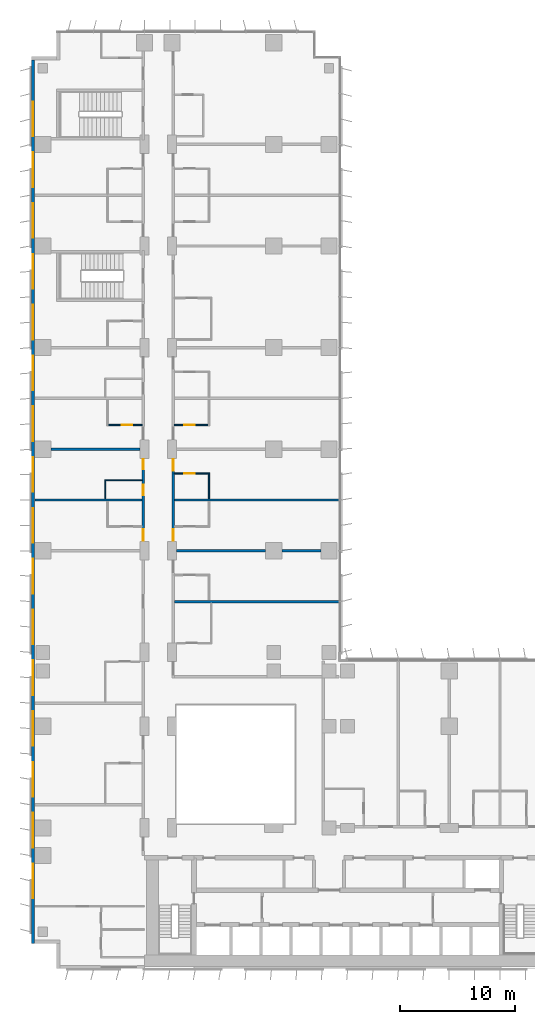
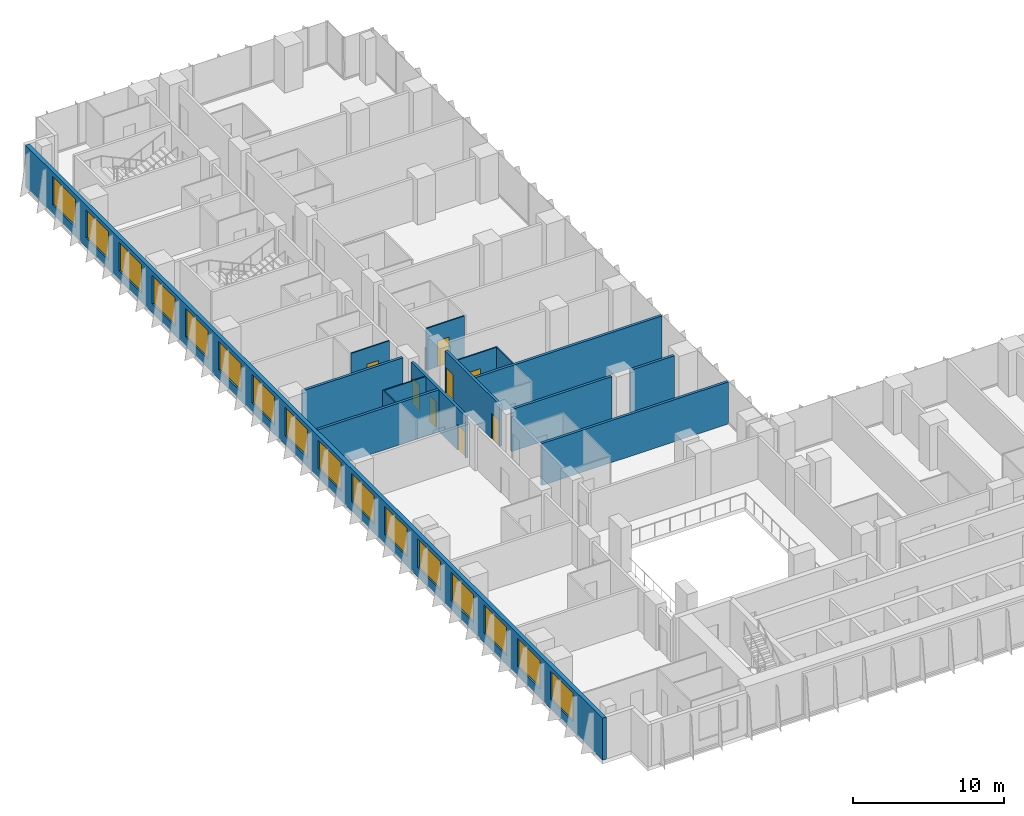
# One storey, part 16 of 24: 16 windows, 15 walls, 8 doors, 24 openings.
"""IFC4 building model written with IfcOpenShell, lengths in metres."""

from ifc_helpers import new_model, si_unit, direction, frame, frame_2d, origin, place, context, subcontext, project, spatial, rectangle, extrude, material, layer, layer_set, type_object, element, fill, save


model = new_model("IFC4")

# Units and contexts
model_context = context("Model", 3, precision=1e-05, world=origin(), true_north=direction((0.0, 1.0)))
body_context = subcontext(model_context, "Body", "Model", "MODEL_VIEW")
ifc_project = project(units=[si_unit("LENGTHUNIT", "METRE"), si_unit("AREAUNIT", "SQUARE_METRE"), si_unit("VOLUMEUNIT", "CUBIC_METRE"), si_unit("PLANEANGLEUNIT", "RADIAN"), si_unit("MASSUNIT", "GRAM", prefix="KILO")], contexts=[model_context])

# Site, building, storey
site_placement = place(None, origin())
site = spatial("IfcSite", under=ifc_project, at=site_placement, CompositionType="ELEMENT")
building_placement = place(site_placement, origin())
building = spatial("IfcBuilding", under=site, at=building_placement, Name="Kemantara Hotel Tower", CompositionType="ELEMENT")
storey_placement = place(building_placement, frame((0.0, 0.0, 37.699951171875)))
storey = spatial("IfcBuildingStorey", under=building, at=storey_placement, Name="L07", CompositionType="ELEMENT", Elevation=37.699951171875)

# Wall, openings, windows
ifc_material_1 = material(Name="Bronze anodised aluminium cladding on insulated steel stud wall", Category="steel")
ifc_layer_1 = layer(ifc_material_1, 0.300048828125)
ifc_layer_set_1 = layer_set([ifc_layer_1], Name="Bronze anodised aluminium cladding on insulated steel stud wall")
wall_type_1 = type_object("IfcWallType", Name="BRONZE METAL-CLAD EXTERNAL WALL 300", PredefinedType="STANDARD", material=ifc_layer_set_1)
wall_1_placement = place(storey_placement, frame((0.14990234375, 78.699951171875, 0.0), z_axis=(0.0, 0.0, 1.0), x_axis=(0.0, -1.0, 0.0)))
wall_1 = element("IfcWall", 1, at=wall_1_placement, inside=storey, type_object=wall_type_1, Name="EXTERNAL WALL L07 T1-R14", PredefinedType="STANDARD", context=body_context, shape_type="SweptSolid", body=[
    extrude(rectangle(XDim=76.5, YDim=0.300048828125, at=frame_2d((38.25, 0.0))), origin(), (0.0, 0.0, 1.0), 3.400146484375),
])
opening_1_placement = place(wall_1_placement, frame((3.60009765625, 0.0, 0.75)))
opening_1 = element("IfcOpeningElement", 2, at=opening_1_placement, cuts=wall_1, Name="Opening W1", PredefinedType="OPENING", context=body_context, shape_type="SweptSolid", body=[
    extrude(rectangle(XDim=3.0, YDim=2.300048828125, at=frame_2d((1.5, 1.14990234375))), frame((0.0, 0.159912109375, 0.0), z_axis=(0.0, -1.0, 0.0), x_axis=(1.0, 0.0, 0.0)), (0.0, 0.0, 1.0), 0.320068359375),
])
opening_2_placement = place(wall_1_placement, frame((8.0, 0.0, 0.75)))
opening_2 = element("IfcOpeningElement", 3, at=opening_2_placement, cuts=wall_1, Name="Opening W1", PredefinedType="OPENING", context=body_context, shape_type="SweptSolid", body=[
    extrude(rectangle(XDim=3.0, YDim=2.300048828125, at=frame_2d((1.5, 1.14990234375))), frame((0.0, 0.159912109375, 0.0), z_axis=(0.0, -1.0, 0.0), x_axis=(1.0, 0.0, 0.0)), (0.0, 0.0, 1.0), 0.320068359375),
])
opening_3_placement = place(wall_1_placement, frame((12.39990234375, 0.0, 0.75)))
opening_3 = element("IfcOpeningElement", 4, at=opening_3_placement, cuts=wall_1, Name="Opening W1", PredefinedType="OPENING", context=body_context, shape_type="SweptSolid", body=[
    extrude(rectangle(XDim=3.0, YDim=2.300048828125, at=frame_2d((1.5, 1.14990234375))), frame((0.0, 0.159912109375, 0.0), z_axis=(0.0, -1.0, 0.0), x_axis=(1.0, 0.0, 0.0)), (0.0, 0.0, 1.0), 0.320068359375),
])
opening_4_placement = place(wall_1_placement, frame((16.800048828125, 0.0, 0.75)))
opening_4 = element("IfcOpeningElement", 5, at=opening_4_placement, cuts=wall_1, Name="Opening W1", PredefinedType="OPENING", context=body_context, shape_type="SweptSolid", body=[
    extrude(rectangle(XDim=3.0, YDim=2.300048828125, at=frame_2d((1.5, 1.14990234375))), frame((0.0, 0.159912109375, 0.0), z_axis=(0.0, -1.0, 0.0), x_axis=(1.0, 0.0, 0.0)), (0.0, 0.0, 1.0), 0.320068359375),
])
opening_5_placement = place(wall_1_placement, frame((21.199951171875, 0.0, 0.75)))
opening_5 = element("IfcOpeningElement", 6, at=opening_5_placement, cuts=wall_1, Name="Opening W1", PredefinedType="OPENING", context=body_context, shape_type="SweptSolid", body=[
    extrude(rectangle(XDim=3.0, YDim=2.300048828125, at=frame_2d((1.5, 1.14990234375))), frame((0.0, 0.159912109375, 0.0), z_axis=(0.0, -1.0, 0.0), x_axis=(1.0, 0.0, 0.0)), (0.0, 0.0, 1.0), 0.320068359375),
])
opening_6_placement = place(wall_1_placement, frame((25.60009765625, 0.0, 0.75)))
opening_6 = element("IfcOpeningElement", 7, at=opening_6_placement, cuts=wall_1, Name="Opening W1", PredefinedType="OPENING", context=body_context, shape_type="SweptSolid", body=[
    extrude(rectangle(XDim=3.0, YDim=2.300048828125, at=frame_2d((1.5, 1.14990234375))), frame((0.0, 0.159912109375, 0.0), z_axis=(0.0, -1.0, 0.0), x_axis=(1.0, 0.0, 0.0)), (0.0, 0.0, 1.0), 0.320068359375),
])
opening_7_placement = place(wall_1_placement, frame((30.0, 0.0, 0.75)))
opening_7 = element("IfcOpeningElement", 8, at=opening_7_placement, cuts=wall_1, Name="Opening W1", PredefinedType="OPENING", context=body_context, shape_type="SweptSolid", body=[
    extrude(rectangle(XDim=3.0, YDim=2.300048828125, at=frame_2d((1.5, 1.14990234375))), frame((0.0, 0.159912109375, 0.0), z_axis=(0.0, -1.0, 0.0), x_axis=(1.0, 0.0, 0.0)), (0.0, 0.0, 1.0), 0.320068359375),
])
opening_8_placement = place(wall_1_placement, frame((34.39990234375, 0.0, 0.75)))
opening_8 = element("IfcOpeningElement", 9, at=opening_8_placement, cuts=wall_1, Name="Opening W1", PredefinedType="OPENING", context=body_context, shape_type="SweptSolid", body=[
    extrude(rectangle(XDim=3.0, YDim=2.300048828125, at=frame_2d((1.5, 1.14990234375))), frame((0.0, 0.159912109375, 0.0), z_axis=(0.0, -1.0, 0.0), x_axis=(1.0, 0.0, 0.0)), (0.0, 0.0, 1.0), 0.320068359375),
])
opening_9_placement = place(wall_1_placement, frame((38.800048828125, 0.0, 0.75)))
opening_9 = element("IfcOpeningElement", 10, at=opening_9_placement, cuts=wall_1, Name="Opening W1", PredefinedType="OPENING", context=body_context, shape_type="SweptSolid", body=[
    extrude(rectangle(XDim=3.0, YDim=2.300048828125, at=frame_2d((1.5, 1.14990234375))), frame((0.0, 0.159912109375, 0.0), z_axis=(0.0, -1.0, 0.0), x_axis=(1.0, 0.0, 0.0)), (0.0, 0.0, 1.0), 0.320068359375),
])
opening_10_placement = place(wall_1_placement, frame((43.199951171875, 0.0, 0.75)))
opening_10 = element("IfcOpeningElement", 11, at=opening_10_placement, cuts=wall_1, Name="Opening W1", PredefinedType="OPENING", context=body_context, shape_type="SweptSolid", body=[
    extrude(rectangle(XDim=3.0, YDim=2.300048828125, at=frame_2d((1.5, 1.14990234375))), frame((0.0, 0.159912109375, 0.0), z_axis=(0.0, -1.0, 0.0), x_axis=(1.0, 0.0, 0.0)), (0.0, 0.0, 1.0), 0.320068359375),
])
opening_11_placement = place(wall_1_placement, frame((47.60009765625, 0.0, 0.75)))
opening_11 = element("IfcOpeningElement", 12, at=opening_11_placement, cuts=wall_1, Name="Opening W1", PredefinedType="OPENING", context=body_context, shape_type="SweptSolid", body=[
    extrude(rectangle(XDim=3.0, YDim=2.300048828125, at=frame_2d((1.5, 1.14990234375))), frame((0.0, 0.159912109375, 0.0), z_axis=(0.0, -1.0, 0.0), x_axis=(1.0, 0.0, 0.0)), (0.0, 0.0, 1.0), 0.320068359375),
])
opening_12_placement = place(wall_1_placement, frame((52.0, 0.0, 0.75)))
opening_12 = element("IfcOpeningElement", 13, at=opening_12_placement, cuts=wall_1, Name="Opening W1", PredefinedType="OPENING", context=body_context, shape_type="SweptSolid", body=[
    extrude(rectangle(XDim=3.0, YDim=2.300048828125, at=frame_2d((1.5, 1.14990234375))), frame((0.0, 0.159912109375, 0.0), z_axis=(0.0, -1.0, 0.0), x_axis=(1.0, 0.0, 0.0)), (0.0, 0.0, 1.0), 0.320068359375),
])
opening_13_placement = place(wall_1_placement, frame((56.39990234375, 0.0, 0.75)))
opening_13 = element("IfcOpeningElement", 14, at=opening_13_placement, cuts=wall_1, Name="Opening W1", PredefinedType="OPENING", context=body_context, shape_type="SweptSolid", body=[
    extrude(rectangle(XDim=3.0, YDim=2.300048828125, at=frame_2d((1.5, 1.14990234375))), frame((0.0, 0.159912109375, 0.0), z_axis=(0.0, -1.0, 0.0), x_axis=(1.0, 0.0, 0.0)), (0.0, 0.0, 1.0), 0.320068359375),
])
opening_14_placement = place(wall_1_placement, frame((60.800048828125, 0.0, 0.75)))
opening_14 = element("IfcOpeningElement", 15, at=opening_14_placement, cuts=wall_1, Name="Opening W1", PredefinedType="OPENING", context=body_context, shape_type="SweptSolid", body=[
    extrude(rectangle(XDim=3.0, YDim=2.300048828125, at=frame_2d((1.5, 1.14990234375))), frame((0.0, 0.159912109375, 0.0), z_axis=(0.0, -1.0, 0.0), x_axis=(1.0, 0.0, 0.0)), (0.0, 0.0, 1.0), 0.320068359375),
])
opening_15_placement = place(wall_1_placement, frame((65.199951171875, 0.0, 0.75)))
opening_15 = element("IfcOpeningElement", 16, at=opening_15_placement, cuts=wall_1, Name="Opening W1", PredefinedType="OPENING", context=body_context, shape_type="SweptSolid", body=[
    extrude(rectangle(XDim=3.0, YDim=2.300048828125, at=frame_2d((1.5, 1.14990234375))), frame((0.0, 0.159912109375, 0.0), z_axis=(0.0, -1.0, 0.0), x_axis=(1.0, 0.0, 0.0)), (0.0, 0.0, 1.0), 0.320068359375),
])
opening_16_placement = place(wall_1_placement, frame((69.60009765625, 0.0, 0.75)))
opening_16 = element("IfcOpeningElement", 17, at=opening_16_placement, cuts=wall_1, Name="Opening W1", PredefinedType="OPENING", context=body_context, shape_type="SweptSolid", body=[
    extrude(rectangle(XDim=3.0, YDim=2.300048828125, at=frame_2d((1.5, 1.14990234375))), frame((0.0, 0.159912109375, 0.0), z_axis=(0.0, -1.0, 0.0), x_axis=(1.0, 0.0, 0.0)), (0.0, 0.0, 1.0), 0.320068359375),
])
ifc_material_2 = material(Name="Low-E tinted double insulated glass in bronze anodised aluminium frame", Category="aluminium")
window_type = type_object("IfcWindowType", Name="CHICAGO WINDOW, TRIPLE PANEL 3000x2300", PartitioningType="TRIPLE_PANEL_VERTICAL", PredefinedType="WINDOW", material=ifc_material_2)
window_1_placement = place(opening_1_placement, origin())
window_1 = element("IfcWindow", 18, at=window_1_placement, inside=storey, type_object=window_type, Name="CHICAGO WINDOW L07 T1-R14-54", OverallHeight=2.300048828125, OverallWidth=3.0, PartitioningType="SINGLE_PANEL", PredefinedType="WINDOW", context=body_context, shape_type="SweptSolid", body=[
    extrude(rectangle(XDim=3.0, YDim=2.300048828125, at=frame_2d((1.5, 1.14990234375))), frame((0.0, 0.030029296875, 0.0), z_axis=(0.0, -1.0, 0.0), x_axis=(1.0, 0.0, 0.0)), (0.0, 0.0, 1.0), 0.06005859375),
])
fill(opening_1, window_1)
window_2_placement = place(opening_2_placement, origin())
window_2 = element("IfcWindow", 19, at=window_2_placement, inside=storey, type_object=window_type, Name="CHICAGO WINDOW L07 T1-R14-98", OverallHeight=2.300048828125, OverallWidth=3.0, PartitioningType="SINGLE_PANEL", PredefinedType="WINDOW", context=body_context, shape_type="SweptSolid", body=[
    extrude(rectangle(XDim=3.0, YDim=2.300048828125, at=frame_2d((1.5, 1.14990234375))), frame((0.0, 0.030029296875, 0.0), z_axis=(0.0, -1.0, 0.0), x_axis=(1.0, 0.0, 0.0)), (0.0, 0.0, 1.0), 0.06005859375),
])
fill(opening_2, window_2)
window_3_placement = place(opening_3_placement, origin())
window_3 = element("IfcWindow", 20, at=window_3_placement, inside=storey, type_object=window_type, Name="CHICAGO WINDOW L07 T1-R14-142", OverallHeight=2.300048828125, OverallWidth=3.0, PartitioningType="SINGLE_PANEL", PredefinedType="WINDOW", context=body_context, shape_type="SweptSolid", body=[
    extrude(rectangle(XDim=3.0, YDim=2.300048828125, at=frame_2d((1.5, 1.14990234375))), frame((0.0, 0.030029296875, 0.0), z_axis=(0.0, -1.0, 0.0), x_axis=(1.0, 0.0, 0.0)), (0.0, 0.0, 1.0), 0.06005859375),
])
fill(opening_3, window_3)
window_4_placement = place(opening_4_placement, origin())
window_4 = element("IfcWindow", 21, at=window_4_placement, inside=storey, type_object=window_type, Name="CHICAGO WINDOW L07 T1-R14-186", OverallHeight=2.300048828125, OverallWidth=3.0, PartitioningType="SINGLE_PANEL", PredefinedType="WINDOW", context=body_context, shape_type="SweptSolid", body=[
    extrude(rectangle(XDim=3.0, YDim=2.300048828125, at=frame_2d((1.5, 1.14990234375))), frame((0.0, 0.030029296875, 0.0), z_axis=(0.0, -1.0, 0.0), x_axis=(1.0, 0.0, 0.0)), (0.0, 0.0, 1.0), 0.06005859375),
])
fill(opening_4, window_4)
window_5_placement = place(opening_5_placement, origin())
window_5 = element("IfcWindow", 22, at=window_5_placement, inside=storey, type_object=window_type, Name="CHICAGO WINDOW L07 T1-R14-230", OverallHeight=2.300048828125, OverallWidth=3.0, PartitioningType="SINGLE_PANEL", PredefinedType="WINDOW", context=body_context, shape_type="SweptSolid", body=[
    extrude(rectangle(XDim=3.0, YDim=2.300048828125, at=frame_2d((1.5, 1.14990234375))), frame((0.0, 0.030029296875, 0.0), z_axis=(0.0, -1.0, 0.0), x_axis=(1.0, 0.0, 0.0)), (0.0, 0.0, 1.0), 0.06005859375),
])
fill(opening_5, window_5)
window_6_placement = place(opening_6_placement, origin())
window_6 = element("IfcWindow", 23, at=window_6_placement, inside=storey, type_object=window_type, Name="CHICAGO WINDOW L07 T1-R14-274", OverallHeight=2.300048828125, OverallWidth=3.0, PartitioningType="SINGLE_PANEL", PredefinedType="WINDOW", context=body_context, shape_type="SweptSolid", body=[
    extrude(rectangle(XDim=3.0, YDim=2.300048828125, at=frame_2d((1.5, 1.14990234375))), frame((0.0, 0.030029296875, 0.0), z_axis=(0.0, -1.0, 0.0), x_axis=(1.0, 0.0, 0.0)), (0.0, 0.0, 1.0), 0.06005859375),
])
fill(opening_6, window_6)
window_7_placement = place(opening_7_placement, origin())
window_7 = element("IfcWindow", 24, at=window_7_placement, inside=storey, type_object=window_type, Name="CHICAGO WINDOW L07 T1-R14-318", OverallHeight=2.300048828125, OverallWidth=3.0, PartitioningType="SINGLE_PANEL", PredefinedType="WINDOW", context=body_context, shape_type="SweptSolid", body=[
    extrude(rectangle(XDim=3.0, YDim=2.300048828125, at=frame_2d((1.5, 1.14990234375))), frame((0.0, 0.030029296875, 0.0), z_axis=(0.0, -1.0, 0.0), x_axis=(1.0, 0.0, 0.0)), (0.0, 0.0, 1.0), 0.06005859375),
])
fill(opening_7, window_7)
window_8_placement = place(opening_8_placement, origin())
window_8 = element("IfcWindow", 25, at=window_8_placement, inside=storey, type_object=window_type, Name="CHICAGO WINDOW L07 T1-R14-362", OverallHeight=2.300048828125, OverallWidth=3.0, PartitioningType="SINGLE_PANEL", PredefinedType="WINDOW", context=body_context, shape_type="SweptSolid", body=[
    extrude(rectangle(XDim=3.0, YDim=2.300048828125, at=frame_2d((1.5, 1.14990234375))), frame((0.0, 0.030029296875, 0.0), z_axis=(0.0, -1.0, 0.0), x_axis=(1.0, 0.0, 0.0)), (0.0, 0.0, 1.0), 0.06005859375),
])
fill(opening_8, window_8)
window_9_placement = place(opening_9_placement, origin())
window_9 = element("IfcWindow", 26, at=window_9_placement, inside=storey, type_object=window_type, Name="CHICAGO WINDOW L07 T1-R14-406", OverallHeight=2.300048828125, OverallWidth=3.0, PartitioningType="SINGLE_PANEL", PredefinedType="WINDOW", context=body_context, shape_type="SweptSolid", body=[
    extrude(rectangle(XDim=3.0, YDim=2.300048828125, at=frame_2d((1.5, 1.14990234375))), frame((0.0, 0.030029296875, 0.0), z_axis=(0.0, -1.0, 0.0), x_axis=(1.0, 0.0, 0.0)), (0.0, 0.0, 1.0), 0.06005859375),
])
fill(opening_9, window_9)
window_10_placement = place(opening_10_placement, origin())
window_10 = element("IfcWindow", 27, at=window_10_placement, inside=storey, type_object=window_type, Name="CHICAGO WINDOW L07 T1-R14-450", OverallHeight=2.300048828125, OverallWidth=3.0, PartitioningType="SINGLE_PANEL", PredefinedType="WINDOW", context=body_context, shape_type="SweptSolid", body=[
    extrude(rectangle(XDim=3.0, YDim=2.300048828125, at=frame_2d((1.5, 1.14990234375))), frame((0.0, 0.030029296875, 0.0), z_axis=(0.0, -1.0, 0.0), x_axis=(1.0, 0.0, 0.0)), (0.0, 0.0, 1.0), 0.06005859375),
])
fill(opening_10, window_10)
window_11_placement = place(opening_11_placement, origin())
window_11 = element("IfcWindow", 28, at=window_11_placement, inside=storey, type_object=window_type, Name="CHICAGO WINDOW L07 T1-R14-494", OverallHeight=2.300048828125, OverallWidth=3.0, PartitioningType="SINGLE_PANEL", PredefinedType="WINDOW", context=body_context, shape_type="SweptSolid", body=[
    extrude(rectangle(XDim=3.0, YDim=2.300048828125, at=frame_2d((1.5, 1.14990234375))), frame((0.0, 0.030029296875, 0.0), z_axis=(0.0, -1.0, 0.0), x_axis=(1.0, 0.0, 0.0)), (0.0, 0.0, 1.0), 0.06005859375),
])
fill(opening_11, window_11)
window_12_placement = place(opening_12_placement, origin())
window_12 = element("IfcWindow", 29, at=window_12_placement, inside=storey, type_object=window_type, Name="CHICAGO WINDOW L07 T1-R14-538", OverallHeight=2.300048828125, OverallWidth=3.0, PartitioningType="SINGLE_PANEL", PredefinedType="WINDOW", context=body_context, shape_type="SweptSolid", body=[
    extrude(rectangle(XDim=3.0, YDim=2.300048828125, at=frame_2d((1.5, 1.14990234375))), frame((0.0, 0.030029296875, 0.0), z_axis=(0.0, -1.0, 0.0), x_axis=(1.0, 0.0, 0.0)), (0.0, 0.0, 1.0), 0.06005859375),
])
fill(opening_12, window_12)
window_13_placement = place(opening_13_placement, origin())
window_13 = element("IfcWindow", 30, at=window_13_placement, inside=storey, type_object=window_type, Name="CHICAGO WINDOW L07 T1-R14-582", OverallHeight=2.300048828125, OverallWidth=3.0, PartitioningType="SINGLE_PANEL", PredefinedType="WINDOW", context=body_context, shape_type="SweptSolid", body=[
    extrude(rectangle(XDim=3.0, YDim=2.300048828125, at=frame_2d((1.5, 1.14990234375))), frame((0.0, 0.030029296875, 0.0), z_axis=(0.0, -1.0, 0.0), x_axis=(1.0, 0.0, 0.0)), (0.0, 0.0, 1.0), 0.06005859375),
])
fill(opening_13, window_13)
window_14_placement = place(opening_14_placement, origin())
window_14 = element("IfcWindow", 31, at=window_14_placement, inside=storey, type_object=window_type, Name="CHICAGO WINDOW L07 T1-R14-626", OverallHeight=2.300048828125, OverallWidth=3.0, PartitioningType="SINGLE_PANEL", PredefinedType="WINDOW", context=body_context, shape_type="SweptSolid", body=[
    extrude(rectangle(XDim=3.0, YDim=2.300048828125, at=frame_2d((1.5, 1.14990234375))), frame((0.0, 0.030029296875, 0.0), z_axis=(0.0, -1.0, 0.0), x_axis=(1.0, 0.0, 0.0)), (0.0, 0.0, 1.0), 0.06005859375),
])
fill(opening_14, window_14)
window_15_placement = place(opening_15_placement, origin())
window_15 = element("IfcWindow", 32, at=window_15_placement, inside=storey, type_object=window_type, Name="CHICAGO WINDOW L07 T1-R14-670", OverallHeight=2.300048828125, OverallWidth=3.0, PartitioningType="SINGLE_PANEL", PredefinedType="WINDOW", context=body_context, shape_type="SweptSolid", body=[
    extrude(rectangle(XDim=3.0, YDim=2.300048828125, at=frame_2d((1.5, 1.14990234375))), frame((0.0, 0.030029296875, 0.0), z_axis=(0.0, -1.0, 0.0), x_axis=(1.0, 0.0, 0.0)), (0.0, 0.0, 1.0), 0.06005859375),
])
fill(opening_15, window_15)
window_16_placement = place(opening_16_placement, origin())
window_16 = element("IfcWindow", 33, at=window_16_placement, inside=storey, type_object=window_type, Name="CHICAGO WINDOW L07 T1-R14-714", OverallHeight=2.300048828125, OverallWidth=3.0, PartitioningType="SINGLE_PANEL", PredefinedType="WINDOW", context=body_context, shape_type="SweptSolid", body=[
    extrude(rectangle(XDim=3.0, YDim=2.300048828125, at=frame_2d((1.5, 1.14990234375))), frame((0.0, 0.030029296875, 0.0), z_axis=(0.0, -1.0, 0.0), x_axis=(1.0, 0.0, 0.0)), (0.0, 0.0, 1.0), 0.06005859375),
])
fill(opening_16, window_16)

# Wall, openings, doors
ifc_material_3 = material(Name="Gypsum board partition, steel studs and mineral wool, 200 mm", Category="steel")
ifc_layer_2 = layer(ifc_material_3, 0.199951171875)
ifc_layer_set_2 = layer_set([ifc_layer_2], Name="Gypsum board partition, steel studs and mineral wool, 200 mm")
wall_type_2 = type_object("IfcWallType", Name="CORRIDOR WALL 200", PredefinedType="PARTITIONING", material=ifc_layer_set_2)
wall_2_placement = place(storey_placement, frame((9.699951171875, 37.0, 0.0), z_axis=(0.0, 0.0, 1.0), x_axis=(0.0, 1.0, 0.0)))
wall_2 = element("IfcWall", 34, at=wall_2_placement, inside=storey, type_object=wall_type_2, Name="CORRIDOR WALL 200 034", PredefinedType="PARTITIONING", context=body_context, shape_type="SweptSolid", body=[
    extrude(rectangle(XDim=7.199951171875, YDim=0.199951171875, at=frame_2d((3.60009765625, 0.0))), origin(), (0.0, 0.0, 1.0), 3.400146484375),
])
opening_17_placement = place(wall_2_placement, frame((0.0498046875, 0.0, 0.0)))
opening_17 = element("IfcOpeningElement", 35, at=opening_17_placement, cuts=wall_2, Name="Opening F01-041", PredefinedType="OPENING", context=body_context, shape_type="SweptSolid", body=[
    extrude(rectangle(XDim=1.0, YDim=2.10009765625, at=frame_2d((0.5, 1.050048828125))), frame((0.0, 0.10986328125, 0.0), z_axis=(0.0, -1.0, 0.0), x_axis=(1.0, 0.0, 0.0)), (0.0, 0.0, 1.0), 0.219970703125),
])
opening_18_placement = place(wall_2_placement, frame((6.25, 0.0, 0.0)))
opening_18 = element("IfcOpeningElement", 36, at=opening_18_placement, cuts=wall_2, Name="Opening F01-043", PredefinedType="OPENING", context=body_context, shape_type="SweptSolid", body=[
    extrude(rectangle(XDim=0.89990234375, YDim=2.10009765625, at=frame_2d((0.449951171875, 1.050048828125))), frame((0.0, 0.10986328125, 0.0), z_axis=(0.0, -1.0, 0.0), x_axis=(1.0, 0.0, 0.0)), (0.0, 0.0, 1.0), 0.219970703125),
])
opening_19_placement = place(wall_2_placement, frame((4.0, 0.0, 0.0)))
opening_19 = element("IfcOpeningElement", 37, at=opening_19_placement, cuts=wall_2, Name="Opening F01-044", PredefinedType="OPENING", context=body_context, shape_type="SweptSolid", body=[
    extrude(rectangle(XDim=0.89990234375, YDim=2.10009765625, at=frame_2d((0.449951171875, 1.050048828125))), frame((0.0, 0.10986328125, 0.0), z_axis=(0.0, -1.0, 0.0), x_axis=(1.0, 0.0, 0.0)), (0.0, 0.0, 1.0), 0.219970703125),
])
ifc_material_4 = material(Name="Hardwood veneer door leaf with steel frame", Category="steel")
door_type_1 = type_object("IfcDoorType", Name="GUEST ROOM DOOR 1000 X 2100 FD30S", OperationType="NOTDEFINED", PredefinedType="DOOR", material=ifc_material_4)
door_1_placement = place(opening_17_placement, origin())
door_1 = element("IfcDoor", 38, at=door_1_placement, inside=storey, type_object=door_type_1, Name="GUEST ROOM DOOR F01-041", OperationType="SINGLE_SWING_LEFT", OverallHeight=2.10009765625, OverallWidth=1.0, PredefinedType="DOOR", context=body_context, shape_type="SweptSolid", body=[
    extrude(rectangle(XDim=1.0, YDim=2.10009765625, at=frame_2d((0.5, 1.050048828125))), frame((0.0, 0.02490234375, 0.0), z_axis=(0.0, -1.0, 0.0), x_axis=(1.0, 0.0, 0.0)), (0.0, 0.0, 1.0), 0.050048828125),
])
fill(opening_17, door_1)
ifc_material_5 = material(Name="Steel door leaf with steel frame", Category="steel")
door_type_2 = type_object("IfcDoorType", Name="SERVICE ROOM DOOR 900 X 2100 FD60", OperationType="NOTDEFINED", PredefinedType="DOOR", material=ifc_material_5)
door_2_placement = place(opening_18_placement, origin())
door_2 = element("IfcDoor", 39, at=door_2_placement, inside=storey, type_object=door_type_2, Name="SERVICE ROOM DOOR F01-043", OperationType="SINGLE_SWING_RIGHT", OverallHeight=2.10009765625, OverallWidth=0.89990234375, PredefinedType="DOOR", context=body_context, shape_type="SweptSolid", body=[
    extrude(rectangle(XDim=0.89990234375, YDim=2.10009765625, at=frame_2d((0.449951171875, 1.050048828125))), frame((0.0, 0.02490234375, 0.0), z_axis=(0.0, -1.0, 0.0), x_axis=(1.0, 0.0, 0.0)), (0.0, 0.0, 1.0), 0.050048828125),
])
fill(opening_18, door_2)
door_3_placement = place(opening_19_placement, origin())
door_3 = element("IfcDoor", 40, at=door_3_placement, inside=storey, type_object=door_type_2, Name="SERVICE ROOM DOOR F01-044", OperationType="SINGLE_SWING_LEFT", OverallHeight=2.10009765625, OverallWidth=0.89990234375, PredefinedType="DOOR", context=body_context, shape_type="SweptSolid", body=[
    extrude(rectangle(XDim=0.89990234375, YDim=2.10009765625, at=frame_2d((0.449951171875, 1.050048828125))), frame((0.0, 0.02490234375, 0.0), z_axis=(0.0, -1.0, 0.0), x_axis=(1.0, 0.0, 0.0)), (0.0, 0.0, 1.0), 0.050048828125),
])
fill(opening_19, door_3)

wall_3_placement = place(storey_placement, frame((12.300048828125, 44.199951171875, 0.0), z_axis=(0.0, 0.0, 1.0), x_axis=(0.0, -1.0, 0.0)))
wall_3 = element("IfcWall", 41, at=wall_3_placement, inside=storey, type_object=wall_type_2, Name="CORRIDOR WALL 200 058", PredefinedType="PARTITIONING", context=body_context, shape_type="SweptSolid", body=[
    extrude(rectangle(XDim=7.199951171875, YDim=0.199951171875, at=frame_2d((3.60009765625, 0.0))), origin(), (0.0, 0.0, 1.0), 3.400146484375),
])
opening_20_placement = place(wall_3_placement, frame((6.14990234375, 0.0, 0.0)))
opening_20 = element("IfcOpeningElement", 42, at=opening_20_placement, cuts=wall_3, Name="Opening F01-061", PredefinedType="OPENING", context=body_context, shape_type="SweptSolid", body=[
    extrude(rectangle(XDim=1.0, YDim=2.10009765625, at=frame_2d((0.5, 1.050048828125))), frame((0.0, 0.10986328125, 0.0), z_axis=(0.0, -1.0, 0.0), x_axis=(1.0, 0.0, 0.0)), (0.0, 0.0, 1.0), 0.219970703125),
])
opening_21_placement = place(wall_3_placement, frame((0.0498046875, 0.0, 0.0)))
opening_21 = element("IfcOpeningElement", 43, at=opening_21_placement, cuts=wall_3, Name="Opening F01-063", PredefinedType="OPENING", context=body_context, shape_type="SweptSolid", body=[
    extrude(rectangle(XDim=1.0, YDim=2.10009765625, at=frame_2d((0.5, 1.050048828125))), frame((0.0, 0.10986328125, 0.0), z_axis=(0.0, -1.0, 0.0), x_axis=(1.0, 0.0, 0.0)), (0.0, 0.0, 1.0), 0.219970703125),
])
door_4_placement = place(opening_20_placement, origin())
door_4 = element("IfcDoor", 44, at=door_4_placement, inside=storey, type_object=door_type_1, Name="GUEST ROOM DOOR F01-061", OperationType="SINGLE_SWING_RIGHT", OverallHeight=2.10009765625, OverallWidth=1.0, PredefinedType="DOOR", context=body_context, shape_type="SweptSolid", body=[
    extrude(rectangle(XDim=1.0, YDim=2.10009765625, at=frame_2d((0.5, 1.050048828125))), frame((0.0, 0.02490234375, 0.0), z_axis=(0.0, -1.0, 0.0), x_axis=(1.0, 0.0, 0.0)), (0.0, 0.0, 1.0), 0.050048828125),
])
fill(opening_20, door_4)
door_5_placement = place(opening_21_placement, origin())
door_5 = element("IfcDoor", 45, at=door_5_placement, inside=storey, type_object=door_type_1, Name="GUEST ROOM DOOR F01-063", OperationType="SINGLE_SWING_LEFT", OverallHeight=2.10009765625, OverallWidth=1.0, PredefinedType="DOOR", context=body_context, shape_type="SweptSolid", body=[
    extrude(rectangle(XDim=1.0, YDim=2.10009765625, at=frame_2d((0.5, 1.050048828125))), frame((0.0, 0.02490234375, 0.0), z_axis=(0.0, -1.0, 0.0), x_axis=(1.0, 0.0, 0.0)), (0.0, 0.0, 1.0), 0.050048828125),
])
fill(opening_21, door_5)

# Walls
ifc_layer_3 = layer(ifc_material_3, 0.199951171875)
ifc_layer_set_3 = layer_set([ifc_layer_3], Name="Gypsum board partition, steel studs and mineral wool, 200 mm")
wall_type_3 = type_object("IfcWallType", Name="GUEST ROOM PARTY WALL 200", PredefinedType="PARTITIONING", material=ifc_layer_set_3)
wall_4_placement = place(storey_placement, frame((12.60009765625, 36.199951171875, 0.0), z_axis=(0.0, 0.0, 1.0), x_axis=(1.0, 0.0, 0.0)))
element("IfcWall", 46, at=wall_4_placement, inside=storey, type_object=wall_type_3, Name="GUEST ROOM PARTY WALL 200 042", PredefinedType="PARTITIONING", context=body_context, shape_type="SweptSolid", body=[
    extrude(rectangle(XDim=7.69970703125, YDim=0.199951171875, at=frame_2d((3.849853515625, 0.0))), origin(), (0.0, 0.0, 1.0), 3.400146484375),
])
wall_5_placement = place(storey_placement, frame((21.7001953125, 36.199951171875, 0.0), z_axis=(0.0, 0.0, 1.0), x_axis=(1.0, 0.0, 0.0)))
element("IfcWall", 47, at=wall_5_placement, inside=storey, type_object=wall_type_3, Name="GUEST ROOM PARTY WALL 200 043", PredefinedType="PARTITIONING", context=body_context, shape_type="SweptSolid", body=[
    extrude(rectangle(XDim=3.399658203125, YDim=0.199951171875, at=frame_2d((1.69970703125, 0.0))), origin(), (0.0, 0.0, 1.0), 3.400146484375),
])
wall_6_placement = place(storey_placement, frame((0.31005859375, 40.60009765625, 0.0), z_axis=(0.0, 0.0, 1.0), x_axis=(1.0, 0.0, 0.0)))
element("IfcWall", 48, at=wall_6_placement, inside=storey, type_object=wall_type_3, Name="GUEST ROOM PARTY WALL 200 044", PredefinedType="PARTITIONING", context=body_context, shape_type="SweptSolid", body=[
    extrude(rectangle(XDim=9.2900390625, YDim=0.199951171875, at=frame_2d((4.64501953125, 0.0))), origin(), (0.0, 0.0, 1.0), 3.400146484375),
])
wall_7_placement = place(storey_placement, frame((12.39990234375, 40.60009765625, 0.0), z_axis=(0.0, 0.0, 1.0), x_axis=(1.0, 0.0, 0.0)))
element("IfcWall", 49, at=wall_7_placement, inside=storey, type_object=wall_type_3, Name="GUEST ROOM PARTY WALL 200 045", PredefinedType="PARTITIONING", context=body_context, shape_type="SweptSolid", body=[
    extrude(rectangle(XDim=14.27001953125, YDim=0.199951171875, at=frame_2d((7.135009765625, 0.0))), origin(), (0.0, 0.0, 1.0), 3.400146484375),
])
wall_8_placement = place(storey_placement, frame((1.7001953125, 45.0, 0.0), z_axis=(0.0, 0.0, 1.0), x_axis=(1.0, 0.0, 0.0)))
element("IfcWall", 50, at=wall_8_placement, inside=storey, type_object=wall_type_3, Name="GUEST ROOM PARTY WALL 200 046", PredefinedType="PARTITIONING", context=body_context, shape_type="SweptSolid", body=[
    extrude(rectangle(XDim=7.69970703125, YDim=0.199951171875, at=frame_2d((3.849853515625, 0.0))), origin(), (0.0, 0.0, 1.0), 3.400146484375),
])
wall_9_placement = place(storey_placement, frame((12.39990234375, 31.800048828125, 0.0), z_axis=(0.0, 0.0, 1.0), x_axis=(1.0, 0.0, 0.0)))
element("IfcWall", 51, at=wall_9_placement, inside=storey, type_object=wall_type_3, Name="GUEST ROOM PARTY WALL 200 066", PredefinedType="PARTITIONING", context=body_context, shape_type="SweptSolid", body=[
    extrude(rectangle(XDim=14.27001953125, YDim=0.199951171875, at=frame_2d((7.135009765625, 0.0))), origin(), (0.0, 0.0, 1.0), 3.400146484375),
])
ifc_material_6 = material(Name="Gypsum board partition on steel studs, 100 mm", Category="steel")
ifc_layer_4 = layer(ifc_material_6, 0.10009765625)
ifc_layer_set_4 = layer_set([ifc_layer_4], Name="Gypsum board partition on steel studs, 100 mm")
wall_type_4 = type_object("IfcWallType", Name="ROOM PARTITION 100", PredefinedType="PARTITIONING", material=ifc_layer_set_4)
wall_10_placement = place(storey_placement, frame((6.39990234375, 40.699951171875, 0.0), z_axis=(0.0, 0.0, 1.0), x_axis=(0.0, 1.0, 0.0)))
element("IfcWall", 52, at=wall_10_placement, inside=storey, type_object=wall_type_4, Name="ROOM PARTITION 100 112", PredefinedType="PARTITIONING", context=body_context, shape_type="SweptSolid", body=[
    extrude(rectangle(XDim=1.650146484375, YDim=0.10009765625, at=frame_2d((0.8251953125, 0.0))), origin(), (0.0, 0.0, 1.0), 3.400146484375),
])
wall_11_placement = place(storey_placement, frame((6.449951171875, 42.300048828125, 0.0), z_axis=(0.0, 0.0, 1.0), x_axis=(1.0, 0.0, 0.0)))
element("IfcWall", 53, at=wall_11_placement, inside=storey, type_object=wall_type_4, Name="ROOM PARTITION 100 123", PredefinedType="PARTITIONING", context=body_context, shape_type="SweptSolid", body=[
    extrude(rectangle(XDim=3.150146484375, YDim=0.10009765625, at=frame_2d((1.5751953125, 0.0))), origin(), (0.0, 0.0, 1.0), 3.400146484375),
])

# Wall, opening, door
wall_12_placement = place(storey_placement, frame((6.64990234375, 47.10009765625, 0.0), z_axis=(0.0, 0.0, 1.0), x_axis=(1.0, 0.0, 0.0)))
wall_12 = element("IfcWall", 54, at=wall_12_placement, inside=storey, type_object=wall_type_4, Name="ROOM PARTITION 100 124", PredefinedType="PARTITIONING", context=body_context, shape_type="SweptSolid", body=[
    extrude(rectangle(XDim=2.9501953125, YDim=0.10009765625, at=frame_2d((1.47509765625, 0.0))), origin(), (0.0, 0.0, 1.0), 3.400146484375),
])
opening_22_placement = place(wall_12_placement, frame((1.199951171875, 0.0, 0.0)))
opening_22 = element("IfcOpeningElement", 55, at=opening_22_placement, cuts=wall_12, Name="Opening F01-046", PredefinedType="OPENING", context=body_context, shape_type="SweptSolid", body=[
    extrude(rectangle(XDim=0.89990234375, YDim=2.10009765625, at=frame_2d((0.449951171875, 1.050048828125))), frame((0.0, 0.06005859375, 0.0), z_axis=(0.0, -1.0, 0.0), x_axis=(1.0, 0.0, 0.0)), (0.0, 0.0, 1.0), 0.1201171875),
])
door_type_3 = type_object("IfcDoorType", Name="BATHROOM DOOR 900 X 2100", OperationType="NOTDEFINED", PredefinedType="DOOR", material=ifc_material_4)
door_6_placement = place(opening_22_placement, origin())
door_6 = element("IfcDoor", 56, at=door_6_placement, inside=storey, type_object=door_type_3, Name="BATHROOM DOOR F01-046", OperationType="SINGLE_SWING_RIGHT", OverallHeight=2.10009765625, OverallWidth=0.89990234375, PredefinedType="DOOR", context=body_context, shape_type="SweptSolid", body=[
    extrude(rectangle(XDim=0.89990234375, YDim=2.10009765625, at=frame_2d((0.449951171875, 1.050048828125))), frame((0.0, 0.02490234375, 0.0), z_axis=(0.0, -1.0, 0.0), x_axis=(1.0, 0.0, 0.0)), (0.0, 0.0, 1.0), 0.050048828125),
])
fill(opening_22, door_6)

wall_13_placement = place(storey_placement, frame((12.39990234375, 47.10009765625, 0.0), z_axis=(0.0, 0.0, 1.0), x_axis=(1.0, 0.0, 0.0)))
wall_13 = element("IfcWall", 57, at=wall_13_placement, inside=storey, type_object=wall_type_4, Name="ROOM PARTITION 100 125", PredefinedType="PARTITIONING", context=body_context, shape_type="SweptSolid", body=[
    extrude(rectangle(XDim=2.9501953125, YDim=0.10009765625, at=frame_2d((1.47509765625, 0.0))), origin(), (0.0, 0.0, 1.0), 3.400146484375),
])
opening_23_placement = place(wall_13_placement, frame((0.85009765625, 0.0, 0.0)))
opening_23 = element("IfcOpeningElement", 58, at=opening_23_placement, cuts=wall_13, Name="Opening F01-066", PredefinedType="OPENING", context=body_context, shape_type="SweptSolid", body=[
    extrude(rectangle(XDim=0.89990234375, YDim=2.10009765625, at=frame_2d((0.449951171875, 1.050048828125))), frame((0.0, 0.06005859375, 0.0), z_axis=(0.0, -1.0, 0.0), x_axis=(1.0, 0.0, 0.0)), (0.0, 0.0, 1.0), 0.1201171875),
])
door_7_placement = place(opening_23_placement, origin())
door_7 = element("IfcDoor", 59, at=door_7_placement, inside=storey, type_object=door_type_3, Name="BATHROOM DOOR F01-066", OperationType="SINGLE_SWING_LEFT", OverallHeight=2.10009765625, OverallWidth=0.89990234375, PredefinedType="DOOR", context=body_context, shape_type="SweptSolid", body=[
    extrude(rectangle(XDim=0.89990234375, YDim=2.10009765625, at=frame_2d((0.449951171875, 1.050048828125))), frame((0.0, 0.02490234375, 0.0), z_axis=(0.0, -1.0, 0.0), x_axis=(1.0, 0.0, 0.0)), (0.0, 0.0, 1.0), 0.050048828125),
])
fill(opening_23, door_7)

# Wall
wall_14_placement = place(storey_placement, frame((15.39990234375, 40.699951171875, 0.0), z_axis=(0.0, 0.0, 1.0), x_axis=(0.0, 1.0, 0.0)))
element("IfcWall", 60, at=wall_14_placement, inside=storey, type_object=wall_type_4, Name="ROOM PARTITION 100 138", PredefinedType="PARTITIONING", context=body_context, shape_type="SweptSolid", body=[
    extrude(rectangle(XDim=2.25, YDim=0.10009765625, at=frame_2d((1.125, 0.0))), origin(), (0.0, 0.0, 1.0), 3.400146484375),
])

# Wall, opening, door
wall_15_placement = place(storey_placement, frame((15.35009765625, 42.89990234375, 0.0), z_axis=(0.0, 0.0, 1.0), x_axis=(-1.0, 0.0, 0.0)))
wall_15 = element("IfcWall", 61, at=wall_15_placement, inside=storey, type_object=wall_type_4, Name="ROOM PARTITION 100 144", PredefinedType="PARTITIONING", context=body_context, shape_type="SweptSolid", body=[
    extrude(rectangle(XDim=2.9501953125, YDim=0.10009765625, at=frame_2d((1.47509765625, 0.0))), origin(), (0.0, 0.0, 1.0), 3.400146484375),
])
opening_24_placement = place(wall_15_placement, frame((1.199951171875, 0.0, 0.0)))
opening_24 = element("IfcOpeningElement", 62, at=opening_24_placement, cuts=wall_15, Name="Opening F01-064", PredefinedType="OPENING", context=body_context, shape_type="SweptSolid", body=[
    extrude(rectangle(XDim=0.89990234375, YDim=2.10009765625, at=frame_2d((0.449951171875, 1.050048828125))), frame((0.0, 0.06005859375, 0.0), z_axis=(0.0, -1.0, 0.0), x_axis=(1.0, 0.0, 0.0)), (0.0, 0.0, 1.0), 0.1201171875),
])
door_8_placement = place(opening_24_placement, origin())
door_8 = element("IfcDoor", 63, at=door_8_placement, inside=storey, type_object=door_type_3, Name="BATHROOM DOOR F01-064", OperationType="SINGLE_SWING_RIGHT", OverallHeight=2.10009765625, OverallWidth=0.89990234375, PredefinedType="DOOR", context=body_context, shape_type="SweptSolid", body=[
    extrude(rectangle(XDim=0.89990234375, YDim=2.10009765625, at=frame_2d((0.449951171875, 1.050048828125))), frame((0.0, 0.02490234375, 0.0), z_axis=(0.0, -1.0, 0.0), x_axis=(1.0, 0.0, 0.0)), (0.0, 0.0, 1.0), 0.050048828125),
])
fill(opening_24, door_8)

save(model, "model.ifc")
